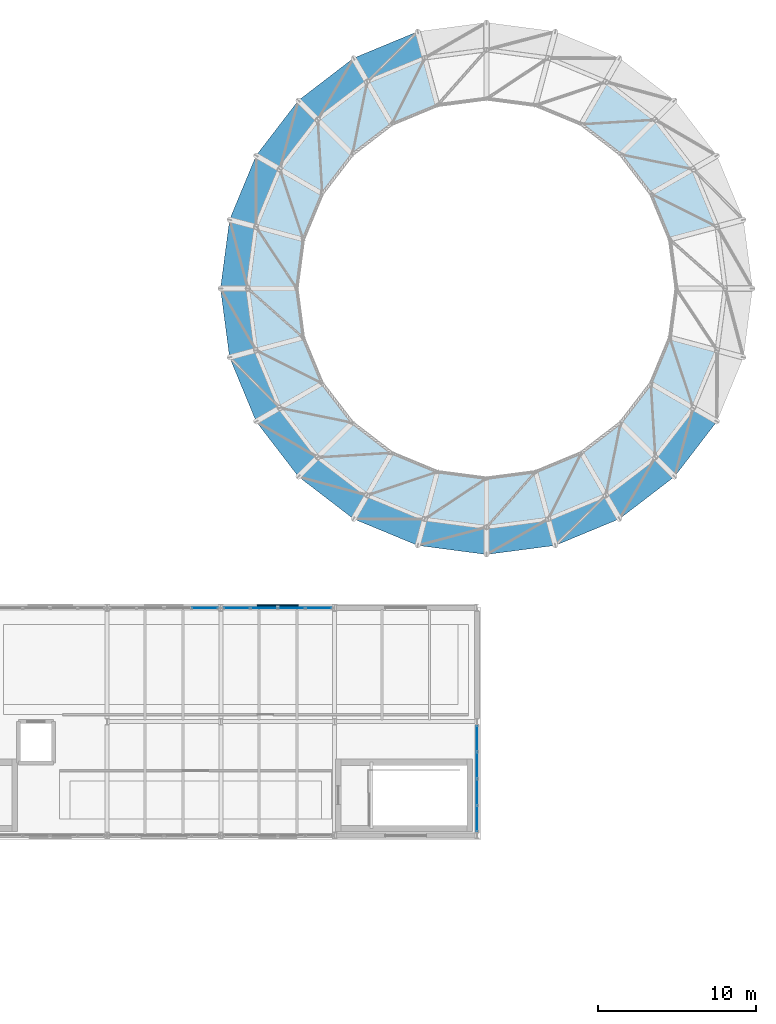
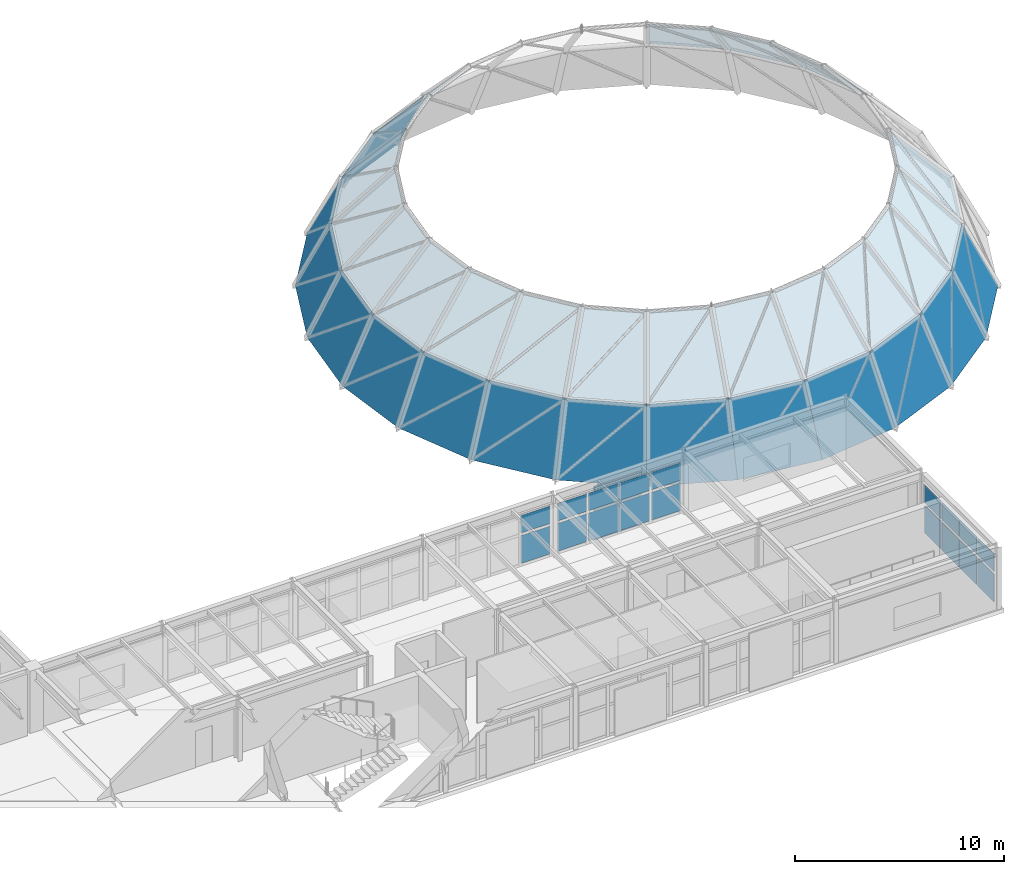
# One storey, part 29 of 48: 53 plates, 3 elements without a shape of their own.
"""IFC4 building model written with IfcOpenShell, lengths in metres."""

from ifc_helpers import new_model, si_unit, direction, frame, origin, origin_2d, place, context, subcontext, project, spatial, polyline, rectangle, outline, extrude, material, layer, layer_set, type_object, element, aggregate, save


model = new_model("IFC4")

# Units and contexts
model_context = context("Model", 3, precision=1e-05, world=origin(), true_north=direction((0.0, 1.0)))
body_context = subcontext(model_context, "Body", "Model", "MODEL_VIEW")
ifc_project = project(units=[si_unit("LENGTHUNIT", "METRE"), si_unit("AREAUNIT", "SQUARE_METRE"), si_unit("VOLUMEUNIT", "CUBIC_METRE"), si_unit("PLANEANGLEUNIT", "RADIAN"), si_unit("MASSUNIT", "GRAM", prefix="KILO")], contexts=[model_context])

# Site, building, storey
site_placement = place(None, origin())
site = spatial("IfcSite", under=ifc_project, at=site_placement, CompositionType="ELEMENT")
building_placement = place(site_placement, origin())
building = spatial("IfcBuilding", under=site, at=building_placement, Name="Kandorven Conservatory and Botanical Research Centre", CompositionType="ELEMENT")
storey_placement = place(building_placement, frame((0.0, 0.0, 13.199951171875)))
storey = spatial("IfcBuildingStorey", under=building, at=storey_placement, Name="L03", CompositionType="ELEMENT", Elevation=13.199951171875)

# Curtain wall, plates
ifc_material_1 = material(Name="Bronze anodised thermally broken aluminium", Category="aluminium")
ifc_layer_1 = layer(ifc_material_1, 0.179931640625)
ifc_layer_set_1 = layer_set([ifc_layer_1], Name="Bronze anodised thermally broken aluminium")
curtain_wall_type = type_object("IfcCurtainWallType", Name="CW_Unitised", PredefinedType="USERDEFINED", material=ifc_layer_set_1)
curtain_wall_1_placement = place(storey_placement, origin())
curtain_wall_1 = element("IfcCurtainWall", 1, at=curtain_wall_1_placement, inside=storey, type_object=curtain_wall_type, Name="Visitor wing unitised curtain wall CW-VIS-N-L03-4", ObjectType="UNITISED GLAZING", PredefinedType="USERDEFINED")
ifc_material_2 = material(Name="Double-glazed solar-control low-E glass", Category="glass")
ifc_layer_2 = layer(ifc_material_2, 0.028076171875)
ifc_layer_set_2 = layer_set([ifc_layer_2], Name="Double-glazed solar-control low-E glass")
plate_type_1 = type_object("IfcPlateType", Name="CW_Panel", PredefinedType="CURTAIN_PANEL", material=ifc_layer_set_2)
plate_1_placement = place(storey_placement, frame((69.7861328125, 27.60009765625, 0.150146484375), z_axis=(0.0, 0.0, 1.0), x_axis=(1.0, 0.0, 0.0)))
plate_1 = element("IfcPlate", 2, at=plate_1_placement, type_object=plate_type_1, Name="CW-01 panel 4.1", PredefinedType="CURTAIN_PANEL", context=body_context, shape_type="SweptSolid", body=[
    extrude(rectangle(XDim=1.617431640625, YDim=0.028076171875, at=origin_2d()), origin(), (0.0, 0.0, 1.0), 1.625),
])
plate_2_placement = place(storey_placement, frame((69.7861328125, 27.60009765625, 1.925048828125), z_axis=(0.0, 0.0, 1.0), x_axis=(1.0, 0.0, 0.0)))
plate_2 = element("IfcPlate", 3, at=plate_2_placement, type_object=plate_type_1, Name="CW-01 panel 4.2", PredefinedType="CURTAIN_PANEL", context=body_context, shape_type="SweptSolid", body=[
    extrude(rectangle(XDim=1.617431640625, YDim=0.028076171875, at=origin_2d()), origin(), (0.0, 0.0, 1.0), 1.02490234375),
])
aggregate(curtain_wall_1, [plate_1, plate_2])

curtain_wall_2_placement = place(storey_placement, origin())
curtain_wall_2 = element("IfcCurtainWall", 4, at=curtain_wall_2_placement, inside=storey, type_object=curtain_wall_type, Name="Visitor wing unitised curtain wall CW-VIS-N-L03-5", ObjectType="UNITISED GLAZING", PredefinedType="USERDEFINED")
plate_3_placement = place(storey_placement, frame((71.813720703125, 27.60009765625, 0.150146484375), z_axis=(0.0, 0.0, 1.0), x_axis=(1.0, 0.0, 0.0)))
plate_3 = element("IfcPlate", 5, at=plate_3_placement, type_object=plate_type_1, Name="CW-01 panel 1.1", PredefinedType="CURTAIN_PANEL", context=body_context, shape_type="SweptSolid", body=[
    extrude(rectangle(XDim=1.617431640625, YDim=0.028076171875, at=origin_2d()), origin(), (0.0, 0.0, 1.0), 1.625),
])
plate_4_placement = place(storey_placement, frame((71.813720703125, 27.60009765625, 1.925048828125), z_axis=(0.0, 0.0, 1.0), x_axis=(1.0, 0.0, 0.0)))
plate_4 = element("IfcPlate", 6, at=plate_4_placement, type_object=plate_type_1, Name="CW-01 panel 1.2", PredefinedType="CURTAIN_PANEL", context=body_context, shape_type="SweptSolid", body=[
    extrude(rectangle(XDim=1.617431640625, YDim=0.028076171875, at=origin_2d()), origin(), (0.0, 0.0, 1.0), 1.02490234375),
])
plate_5_placement = place(storey_placement, frame((73.53125, 27.60009765625, 0.150146484375), z_axis=(0.0, 0.0, 1.0), x_axis=(1.0, 0.0, 0.0)))
plate_5 = element("IfcPlate", 7, at=plate_5_placement, type_object=plate_type_1, Name="CW-01 panel 2.1", PredefinedType="CURTAIN_PANEL", context=body_context, shape_type="SweptSolid", body=[
    extrude(rectangle(XDim=1.657470703125, YDim=0.028076171875, at=origin_2d()), origin(), (0.0, 0.0, 1.0), 1.625),
])
plate_6_placement = place(storey_placement, frame((73.53125, 27.60009765625, 1.925048828125), z_axis=(0.0, 0.0, 1.0), x_axis=(1.0, 0.0, 0.0)))
plate_6 = element("IfcPlate", 8, at=plate_6_placement, type_object=plate_type_1, Name="CW-01 panel 2.2", PredefinedType="CURTAIN_PANEL", context=body_context, shape_type="SweptSolid", body=[
    extrude(rectangle(XDim=1.657470703125, YDim=0.028076171875, at=origin_2d()), origin(), (0.0, 0.0, 1.0), 1.02490234375),
])
plate_7_placement = place(storey_placement, frame((75.268798828125, 27.60009765625, 0.150146484375), z_axis=(0.0, 0.0, 1.0), x_axis=(1.0, 0.0, 0.0)))
plate_7 = element("IfcPlate", 9, at=plate_7_placement, type_object=plate_type_1, Name="CW-01 panel 3.1", PredefinedType="CURTAIN_PANEL", context=body_context, shape_type="SweptSolid", body=[
    extrude(rectangle(XDim=1.657470703125, YDim=0.028076171875, at=origin_2d()), origin(), (0.0, 0.0, 1.0), 1.625),
])
plate_8_placement = place(storey_placement, frame((75.268798828125, 27.60009765625, 1.925048828125), z_axis=(0.0, 0.0, 1.0), x_axis=(1.0, 0.0, 0.0)))
plate_8 = element("IfcPlate", 10, at=plate_8_placement, type_object=plate_type_1, Name="CW-01 panel 3.2", PredefinedType="CURTAIN_PANEL", context=body_context, shape_type="SweptSolid", body=[
    extrude(rectangle(XDim=1.657470703125, YDim=0.028076171875, at=origin_2d()), origin(), (0.0, 0.0, 1.0), 1.02490234375),
])
plate_9_placement = place(storey_placement, frame((76.986328125, 27.60009765625, 0.150146484375), z_axis=(0.0, 0.0, 1.0), x_axis=(1.0, 0.0, 0.0)))
plate_9 = element("IfcPlate", 11, at=plate_9_placement, type_object=plate_type_1, Name="CW-01 panel 4.1", PredefinedType="CURTAIN_PANEL", context=body_context, shape_type="SweptSolid", body=[
    extrude(rectangle(XDim=1.617431640625, YDim=0.028076171875, at=origin_2d()), origin(), (0.0, 0.0, 1.0), 1.625),
])
plate_10_placement = place(storey_placement, frame((76.986328125, 27.60009765625, 1.925048828125), z_axis=(0.0, 0.0, 1.0), x_axis=(1.0, 0.0, 0.0)))
plate_10 = element("IfcPlate", 12, at=plate_10_placement, type_object=plate_type_1, Name="CW-01 panel 4.2", PredefinedType="CURTAIN_PANEL", context=body_context, shape_type="SweptSolid", body=[
    extrude(rectangle(XDim=1.617431640625, YDim=0.028076171875, at=origin_2d()), origin(), (0.0, 0.0, 1.0), 1.02490234375),
])
aggregate(curtain_wall_2, [plate_3, plate_4, plate_5, plate_6, plate_7, plate_8, plate_9, plate_10])

curtain_wall_3_placement = place(storey_placement, origin())
curtain_wall_3 = element("IfcCurtainWall", 13, at=curtain_wall_3_placement, inside=storey, type_object=curtain_wall_type, Name="Visitor wing east curtain wall CW-VIS-E-L03-1", ObjectType="UNITISED GLAZING", PredefinedType="USERDEFINED")
plate_11_placement = place(storey_placement, frame((87.0, 14.27001953125, 0.150146484375), z_axis=(0.0, 0.0, 1.0), x_axis=(0.0, 1.0, 0.0)))
plate_11 = element("IfcPlate", 14, at=plate_11_placement, type_object=plate_type_1, Name="CW-01 panel 1.1", PredefinedType="CURTAIN_PANEL", context=body_context, shape_type="SweptSolid", body=[
    extrude(rectangle(XDim=1.580078125, YDim=0.028076171875, at=origin_2d()), origin(), (0.0, 0.0, 1.0), 1.625),
])
plate_12_placement = place(storey_placement, frame((87.0, 14.27001953125, 1.925048828125), z_axis=(0.0, 0.0, 1.0), x_axis=(0.0, 1.0, 0.0)))
plate_12 = element("IfcPlate", 15, at=plate_12_placement, type_object=plate_type_1, Name="CW-01 panel 1.2", PredefinedType="CURTAIN_PANEL", context=body_context, shape_type="SweptSolid", body=[
    extrude(rectangle(XDim=1.580078125, YDim=0.028076171875, at=origin_2d()), origin(), (0.0, 0.0, 1.0), 1.02490234375),
])
plate_13_placement = place(storey_placement, frame((87.0, 15.949951171875, 0.150146484375), z_axis=(0.0, 0.0, 1.0), x_axis=(0.0, 1.0, 0.0)))
plate_13 = element("IfcPlate", 16, at=plate_13_placement, type_object=plate_type_1, Name="CW-01 panel 2.1", PredefinedType="CURTAIN_PANEL", context=body_context, shape_type="SweptSolid", body=[
    extrude(rectangle(XDim=1.6201171875, YDim=0.028076171875, at=origin_2d()), origin(), (0.0, 0.0, 1.0), 1.625),
])
plate_14_placement = place(storey_placement, frame((87.0, 15.949951171875, 1.925048828125), z_axis=(0.0, 0.0, 1.0), x_axis=(0.0, 1.0, 0.0)))
plate_14 = element("IfcPlate", 17, at=plate_14_placement, type_object=plate_type_1, Name="CW-01 panel 2.2", PredefinedType="CURTAIN_PANEL", context=body_context, shape_type="SweptSolid", body=[
    extrude(rectangle(XDim=1.6201171875, YDim=0.028076171875, at=origin_2d()), origin(), (0.0, 0.0, 1.0), 1.02490234375),
])
plate_15_placement = place(storey_placement, frame((87.0, 17.64990234375, 0.150146484375), z_axis=(0.0, 0.0, 1.0), x_axis=(0.0, 1.0, 0.0)))
plate_15 = element("IfcPlate", 18, at=plate_15_placement, type_object=plate_type_1, Name="CW-01 panel 3.1", PredefinedType="CURTAIN_PANEL", context=body_context, shape_type="SweptSolid", body=[
    extrude(rectangle(XDim=1.6201171875, YDim=0.028076171875, at=origin_2d()), origin(), (0.0, 0.0, 1.0), 1.625),
])
plate_16_placement = place(storey_placement, frame((87.0, 17.64990234375, 1.925048828125), z_axis=(0.0, 0.0, 1.0), x_axis=(0.0, 1.0, 0.0)))
plate_16 = element("IfcPlate", 19, at=plate_16_placement, type_object=plate_type_1, Name="CW-01 panel 3.2", PredefinedType="CURTAIN_PANEL", context=body_context, shape_type="SweptSolid", body=[
    extrude(rectangle(XDim=1.6201171875, YDim=0.028076171875, at=origin_2d()), origin(), (0.0, 0.0, 1.0), 1.02490234375),
])
plate_17_placement = place(storey_placement, frame((87.0, 19.330078125, 0.150146484375), z_axis=(0.0, 0.0, 1.0), x_axis=(0.0, 1.0, 0.0)))
plate_17 = element("IfcPlate", 20, at=plate_17_placement, type_object=plate_type_1, Name="CW-01 panel 4.1", PredefinedType="CURTAIN_PANEL", context=body_context, shape_type="SweptSolid", body=[
    extrude(rectangle(XDim=1.580078125, YDim=0.028076171875, at=origin_2d()), origin(), (0.0, 0.0, 1.0), 1.625),
])
plate_18_placement = place(storey_placement, frame((87.0, 19.330078125, 1.925048828125), z_axis=(0.0, 0.0, 1.0), x_axis=(0.0, 1.0, 0.0)))
plate_18 = element("IfcPlate", 21, at=plate_18_placement, type_object=plate_type_1, Name="CW-01 panel 4.2", PredefinedType="CURTAIN_PANEL", context=body_context, shape_type="SweptSolid", body=[
    extrude(rectangle(XDim=1.580078125, YDim=0.028076171875, at=origin_2d()), origin(), (0.0, 0.0, 1.0), 1.02490234375),
])
aggregate(curtain_wall_3, [plate_11, plate_12, plate_13, plate_14, plate_15, plate_16, plate_17, plate_18])

# Plates
ifc_material_3 = material(Name="Tempered laminated solar-control glass", Category="glass")
ifc_layer_3 = layer(ifc_material_3, 0.035888671875)
ifc_layer_set_3 = layer_set([ifc_layer_3], Name="Tempered laminated solar-control glass")
plate_type_2 = type_object("IfcPlateType", Name="DomePlate_DP-01", PredefinedType="SHEET", material=ifc_layer_set_3)
plate_19_placement = place(storey_placement, frame((83.245361328125, 64.0517578125, -2.364013671875), z_axis=(-0.34567252957, 0.834493282117, 0.429105423412), x_axis=(-0.923873741786, -0.38269741211, 1.505837e-06)))
element("IfcPlate", 22, at=plate_19_placement, inside=storey, type_object=plate_type_2, Name="Conservatory dome laminated glass facet DP-01 T1-S08", PredefinedType="SHEET", context=body_context, shape_type="SweptSolid", body=[
    extrude(outline(polyline([(0.0, 0.0), (4.392230748194787, 0.0), (4.16706027457353, 3.9856892225857434), (0.22513842016618293, 3.9857031166530708), (0.0, 0.0)])), origin(), (0.0, 0.0, -1.0), 0.035888671875),
])
plate_20_placement = place(storey_placement, frame((79.1875, 62.370849609375, -2.364013671875), z_axis=(-0.549860706703, 0.71661024588, 0.429095512357), x_axis=(-0.793359592932, -0.608753280311, 3.662225e-06)))
element("IfcPlate", 23, at=plate_20_placement, inside=storey, type_object=plate_type_2, Name="Conservatory dome laminated glass facet DP-01 T1-S09", PredefinedType="SHEET", context=body_context, shape_type="SweptSolid", body=[
    extrude(outline(polyline([(0.0, 0.0), (4.392257665010771, 0.0), (4.167101626268568, 3.9856584984021817), (0.2251161825099283, 3.985692289230496), (0.0, 0.0)])), origin(), (0.0, 0.0, -1.0), 0.035888671875),
])
plate_21_placement = place(storey_placement, frame((75.702880859375, 59.697021484375, -2.364013671875), z_axis=(-0.716606173119, 0.549877885074, 0.429080300357), x_axis=(-0.608764823345, -0.793350735708, 3.249477e-06)))
element("IfcPlate", 24, at=plate_21_placement, inside=storey, type_object=plate_type_2, Name="Conservatory dome laminated glass facet DP-01 T1-S10", PredefinedType="SHEET", context=body_context, shape_type="SweptSolid", body=[
    extrude(outline(polyline([(0.0, 0.0), (4.392257665044788, -1.1102230246251565e-16), (4.166947792307435, 3.9856285169079473), (0.22515603880849436, 3.985658498435925), (0.0, 0.0)])), origin(), (0.0, 0.0, -1.0), 0.035888671875),
])
plate_22_placement = place(storey_placement, frame((73.029052734375, 56.21240234375, -2.364013671875), z_axis=(-0.834521162973, 0.345657617855, 0.429063211856), x_axis=(-0.38266827656, -0.923885810072, 7.90814e-06)))
element("IfcPlate", 25, at=plate_22_placement, inside=storey, type_object=plate_type_2, Name="Conservatory dome laminated glass facet DP-01 T1-S11", PredefinedType="SHEET", context=body_context, shape_type="SweptSolid", body=[
    extrude(outline(polyline([(0.0, 0.0), (4.392137320567075, 0.0), (4.166954594737342, 3.9855712084998105), (0.22503274178188226, 3.985644172931405), (0.0, 0.0)])), origin(), (0.0, 0.0, -1.0), 0.035888671875),
])
plate_23_placement = place(storey_placement, frame((71.348388671875, 52.154541015625, -2.364013671875), z_axis=(-0.895536027463, 0.117908891927, 0.42908357778), x_axis=(-0.130542993615, -0.991442649183, -1.4099213e-05)))
element("IfcPlate", 26, at=plate_23_placement, inside=storey, type_object=plate_type_2, Name="Conservatory dome laminated glass facet DP-01 T1-S12", PredefinedType="SHEET", context=body_context, shape_type="SweptSolid", body=[
    extrude(outline(polyline([(0.0, 0.0), (4.392093892292918, 0.0), (4.166843721423893, 3.985715418570596), (0.22493258478565728, 3.985585331674831), (0.0, 0.0)])), origin(), (0.0, 0.0, -1.0), 0.035888671875),
])
plate_24_placement = place(storey_placement, frame((70.77490234375, 47.800048828125, -2.364013671875), z_axis=(-0.895534942064, -0.117905265234, 0.429086839664), x_axis=(0.130538575753, -0.99144323089, 1.2768445e-05)))
element("IfcPlate", 27, at=plate_24_placement, inside=storey, type_object=plate_type_2, Name="Conservatory dome laminated glass facet DP-01 T1-S13", PredefinedType="SHEET", context=body_context, shape_type="SweptSolid", body=[
    extrude(outline(polyline([(0.0, 0.0), (4.392335943316997, -5.551115123125783e-17), (4.167148896227904, 3.9855983083489184), (0.22523775872872992, 3.98571612048517), (0.0, 0.0)])), origin(), (0.0, 0.0, -1.0), 0.035888671875),
])
plate_25_placement = place(storey_placement, frame((71.348388671875, 43.4453125, -2.364013671875), z_axis=(-0.834512769613, -0.345654141336, 0.429082337005), x_axis=(0.38266827625, -0.9238858102, -7.908413e-06)))
element("IfcPlate", 28, at=plate_25_placement, inside=storey, type_object=plate_type_2, Name="Conservatory dome laminated glass facet DP-01 T1-S14", PredefinedType="SHEET", context=body_context, shape_type="SweptSolid", body=[
    extrude(outline(polyline([(0.0, 0.0), (4.392137320567089, 1.1102230246251565e-16), (4.16687901917069, 3.985684259015434), (0.22495716621527342, 3.9856112913315083), (0.0, 0.0)])), origin(), (0.0, 0.0, -1.0), 0.035888671875),
])
plate_26_placement = place(storey_placement, frame((73.029052734375, 39.387451171875, -2.364013671875), z_axis=(-0.716594706917, -0.549869086642, 0.429110724143), x_axis=(0.608764823171, -0.793350735841, -3.249656e-06)))
element("IfcPlate", 29, at=plate_26_placement, inside=storey, type_object=plate_type_2, Name="Conservatory dome laminated glass facet DP-01 T1-S15", PredefinedType="SHEET", context=body_context, shape_type="SweptSolid", body=[
    extrude(outline(polyline([(0.0, 0.0), (4.392257665044792, 1.1102230246251565e-16), (4.166907936075157, 3.985722272918051), (0.22511618257622806, 3.985692289264244), (0.0, 0.0)])), origin(), (0.0, 0.0, -1.0), 0.035888671875),
])
plate_27_placement = place(storey_placement, frame((75.702880859375, 35.90283203125, -2.364013671875), z_axis=(-0.54987162739, -0.716589995409, 0.429115336328), x_axis=(0.793348050348, -0.608768322911, 5.345442e-06)))
element("IfcPlate", 30, at=plate_27_placement, inside=storey, type_object=plate_type_2, Name="Conservatory dome laminated glass facet DP-01 T1-S16", PredefinedType="SHEET", context=body_context, shape_type="SweptSolid", body=[
    extrude(outline(polyline([(0.0, 0.0), (4.392257664829959, -1.1102230246251565e-16), (4.1671414826723865, 3.9856922890511415), (0.22500741549032918, 3.985741612080351), (0.0, 0.0)])), origin(), (0.0, 0.0, -1.0), 0.035888671875),
])
plate_28_placement = place(storey_placement, frame((79.1875, 33.22900390625, -2.364013671875), z_axis=(-0.345627358803, -0.834511992185, 0.429105422648), x_axis=(0.923894259998, -0.382647875124, -2.581368e-06)))
element("IfcPlate", 31, at=plate_28_placement, inside=storey, type_object=plate_type_2, Name="Conservatory dome laminated glass facet DP-01 T1-S17", PredefinedType="SHEET", context=body_context, shape_type="SweptSolid", body=[
    extrude(outline(polyline([(0.0, 0.0), (4.392137321233625, 0.0), (4.167086732602405, 3.9857080769204773), (0.2252583026952868, 3.9856842596765327), (0.0, 0.0)])), origin(), (0.0, 0.0, -1.0), 0.035888671875),
])
plate_29_placement = place(storey_placement, frame((83.245361328125, 31.54833984375, -2.364013671875), z_axis=(-0.117905265234, -0.895534942064, 0.429086839664), x_axis=(0.991444555356, -0.130528516349, 8.590191e-06)))
element("IfcPlate", 32, at=plate_29_placement, inside=storey, type_object=plate_type_2, Name="Conservatory dome laminated glass facet DP-01 T1-S18", PredefinedType="SHEET", context=body_context, shape_type="SweptSolid", body=[
    extrude(outline(polyline([(0.0, 0.0), (4.392304074775476, -5.551115123125783e-17), (4.167192429987463, 3.9856175838318153), (0.2252494234909666, 3.9856968439728755), (0.0, 0.0)])), origin(), (0.0, 0.0, -1.0), 0.035888671875),
])
plate_30_placement = place(storey_placement, frame((87.60009765625, 30.97509765625, -2.364013671875), z_axis=(0.117908891927, -0.895536027463, 0.42908357778), x_axis=(0.991443973774, 0.130532933829, -7.260453e-06)))
element("IfcPlate", 33, at=plate_30_placement, inside=storey, type_object=plate_type_2, Name="Conservatory dome laminated glass facet DP-01 T1-S19", PredefinedType="SHEET", context=body_context, shape_type="SweptSolid", body=[
    extrude(outline(polyline([(0.0, 0.0), (4.392062022672864, 2.7755575615628914e-17), (4.167067058483267, 3.9856838721793775), (0.22512405147893236, 3.985616883347332), (0.0, 0.0)])), origin(), (0.0, 0.0, -1.0), 0.035888671875),
])
plate_31_placement = place(storey_placement, frame((91.95458984375, 31.54833984375, -2.364013671875), z_axis=(0.345638451643, -0.834512314307, 0.429095861103), x_axis=(0.923890760353, 0.382656324829, -1.763426e-06)))
element("IfcPlate", 34, at=plate_31_placement, inside=storey, type_object=plate_type_2, Name="Conservatory dome laminated glass facet DP-01 T1-S20", PredefinedType="SHEET", context=body_context, shape_type="SweptSolid", body=[
    extrude(outline(polyline([(0.0, 0.0), (4.392137321276008, 0.0), (4.166879018498129, 3.9856842597185698), (0.22527614832826762, 3.985667989817156), (0.0, 0.0)])), origin(), (0.0, 0.0, -1.0), 0.035888671875),
])
plate_32_placement = place(storey_placement, frame((96.012451171875, 33.22900390625, -2.364013671875), z_axis=(0.54987162739, -0.716589995409, 0.429115336328), x_axis=(0.793348050348, 0.608768322911, -5.345442e-06)))
element("IfcPlate", 35, at=plate_32_placement, inside=storey, type_object=plate_type_2, Name="Conservatory dome laminated glass facet DP-01 T1-S21", PredefinedType="SHEET", context=body_context, shape_type="SweptSolid", body=[
    extrude(outline(polyline([(0.0, 0.0), (4.392257664829959, 1.1102230246251565e-16), (4.167250249339629, 3.985741612080351), (0.22511618215757181, 3.985692289051142), (0.0, 0.0)])), origin(), (0.0, 0.0, -1.0), 0.035888671875),
])
plate_33_placement = place(storey_placement, frame((99.4970703125, 35.90283203125, -2.364013671875), z_axis=(0.716594706917, -0.549869086642, 0.429110724143), x_axis=(0.608764823171, 0.793350735841, 3.249656e-06)))
element("IfcPlate", 36, at=plate_33_placement, inside=storey, type_object=plate_type_2, Name="Conservatory dome laminated glass facet DP-01 T1-S22", PredefinedType="SHEET", context=body_context, shape_type="SweptSolid", body=[
    extrude(outline(polyline([(0.0, 0.0), (4.392257665044792, -1.1102230246251565e-16), (4.167141482468565, 3.985692289264244), (0.22534972896963507, 3.985722272918051), (0.0, 0.0)])), origin(), (0.0, 0.0, -1.0), 0.035888671875),
])
ifc_material_4 = material(Name="Tempered laminated solar-control glass", Category="glass")
ifc_layer_4 = layer(ifc_material_4, 0.033935546875)
ifc_layer_set_4 = layer_set([ifc_layer_4], Name="Tempered laminated solar-control glass")
plate_type_3 = type_object("IfcPlateType", Name="DomePlate_DP-02", PredefinedType="SHEET", material=ifc_layer_set_4)
plate_34_placement = place(storey_placement, frame((102.185546875, 51.708251953125, 1.234130859375), z_axis=(0.676037389354, 0.280040887791, 0.681579451979), x_axis=(-0.38269839984, 0.923873332621, -5.694326e-06)))
element("IfcPlate", 37, at=plate_34_placement, inside=storey, type_object=plate_type_3, Name="Conservatory dome laminated glass facet DP-02 T2-S02", PredefinedType="SHEET", context=body_context, shape_type="SweptSolid", body=[
    extrude(outline(polyline([(0.0, 0.0), (3.9419218543243955, 1.1102230246251565e-16), (3.5373284826753784, 4.509533811322479), (0.4045281409196769, 4.509478756867669), (0.0, 0.0)])), origin(), (0.0, 0.0, -1.0), 0.033935546875),
])
plate_35_placement = place(storey_placement, frame((100.677001953125, 55.35009765625, 1.234130859375), z_axis=(0.580535941213, 0.445458871765, 0.68157495151), x_axis=(-0.608766085847, 0.793349766905, 8.657222e-06)))
element("IfcPlate", 38, at=plate_35_placement, inside=storey, type_object=plate_type_3, Name="Conservatory dome laminated glass facet DP-02 T2-S03", PredefinedType="SHEET", context=body_context, shape_type="SweptSolid", body=[
    extrude(outline(polyline([(0.0, 0.0), (3.941791753435333, -2.220446049250313e-16), (3.537380984039681, 4.509438600933662), (0.40472167651045804, 4.509522297869623), (0.0, 0.0)])), origin(), (0.0, 0.0, -1.0), 0.033935546875),
])
plate_36_placement = place(storey_placement, frame((98.27734375, 58.477294921875, 1.234130859375), z_axis=(0.445471912664, 0.580552936522, 0.681551951742), x_axis=(-0.793360428869, 0.608752190799, 1.0146986e-05)))
element("IfcPlate", 39, at=plate_36_placement, inside=storey, type_object=plate_type_3, Name="Conservatory dome laminated glass facet DP-02 T2-S04", PredefinedType="SHEET", context=body_context, shape_type="SweptSolid", body=[
    extrude(outline(polyline([(0.0, 0.0), (3.941985443644832, 2.220446049250313e-16), (3.5373345791684265, 4.509299389288147), (0.4048689620337223, 4.509397486210094), (0.0, 0.0)])), origin(), (0.0, 0.0, -1.0), 0.033935546875),
])
plate_37_placement = place(storey_placement, frame((83.69189453125, 62.385498046875, 1.234130859375), z_axis=(-0.280035012613, 0.676058916283, 0.681560513399), x_axis=(-0.923877159646, -0.382689160901, 3.620129e-06)))
element("IfcPlate", 40, at=plate_37_placement, inside=storey, type_object=plate_type_3, Name="Conservatory dome laminated glass facet DP-02 T2-S08", PredefinedType="SHEET", context=body_context, shape_type="SweptSolid", body=[
    extrude(outline(polyline([(0.0, 0.0), (3.941921854406362, -2.220446049250313e-16), (3.5372350517542155, 4.509380079267637), (0.40475369665923905, 4.509415077345785), (0.0, 0.0)])), origin(), (0.0, 0.0, -1.0), 0.033935546875),
])
plate_38_placement = place(storey_placement, frame((80.050048828125, 60.876953125, 1.234130859375), z_axis=(-0.445454713458, 0.580555774513, 0.681560775674), x_axis=(-0.793367276964, -0.608743265952, 3.30443e-07)))
element("IfcPlate", 41, at=plate_38_placement, inside=storey, type_object=plate_type_3, Name="Conservatory dome laminated glass facet DP-02 T2-S09", PredefinedType="SHEET", context=body_context, shape_type="SweptSolid", body=[
    extrude(outline(polyline([(0.0, 0.0), (3.941985444081247, -2.220446049250313e-16), (3.5371164812195164, 4.509397486517253), (0.4044571721743128, 4.509400681226731), (0.0, 0.0)])), origin(), (0.0, 0.0, -1.0), 0.033935546875),
])
plate_39_placement = place(storey_placement, frame((76.922607421875, 58.477294921875, 1.234130859375), z_axis=(-0.580535941213, 0.445458871765, 0.68157495151), x_axis=(-0.608766085847, -0.793349766905, -8.657222e-06)))
element("IfcPlate", 42, at=plate_39_placement, inside=storey, type_object=plate_type_3, Name="Conservatory dome laminated glass facet DP-02 T2-S10", PredefinedType="SHEET", context=body_context, shape_type="SweptSolid", body=[
    extrude(outline(polyline([(0.0, 0.0), (3.941791753435333, 2.220446049250313e-16), (3.5370700769248744, 4.509522297869623), (0.40441076939565196, 4.509438600933662), (0.0, 0.0)])), origin(), (0.0, 0.0, -1.0), 0.033935546875),
])
plate_40_placement = place(storey_placement, frame((74.52294921875, 55.35009765625, 1.234130859375), z_axis=(-0.676037389354, 0.280040887791, 0.681579451979), x_axis=(-0.38269839984, -0.923873332621, 5.694326e-06)))
element("IfcPlate", 43, at=plate_40_placement, inside=storey, type_object=plate_type_3, Name="Conservatory dome laminated glass facet DP-02 T2-S11", PredefinedType="SHEET", context=body_context, shape_type="SweptSolid", body=[
    extrude(outline(polyline([(0.0, 0.0), (3.9419218543243955, -1.1102230246251565e-16), (3.5373937134047186, 4.509478756867669), (0.4045933716490173, 4.509533811322479), (0.0, 0.0)])), origin(), (0.0, 0.0, -1.0), 0.033935546875),
])
plate_41_placement = place(storey_placement, frame((73.014404296875, 51.708251953125, 1.234130859375), z_axis=(-0.725492636127, 0.095481487598, 0.681574442341), x_axis=(-0.130489637416, -0.9914496732, -6.134856e-06)))
element("IfcPlate", 44, at=plate_41_placement, inside=storey, type_object=plate_type_3, Name="Conservatory dome laminated glass facet DP-02 T2-S12", PredefinedType="SHEET", context=body_context, shape_type="SweptSolid", body=[
    extrude(outline(polyline([(0.0, 0.0), (3.9419111412669254, 0.0), (3.5373602783229, 4.509507185044287), (0.40487225444152497, 4.50944787450147), (0.0, 0.0)])), origin(), (0.0, 0.0, -1.0), 0.033935546875),
])
plate_42_placement = place(storey_placement, frame((72.5, 47.800048828125, 1.234130859375), z_axis=(-0.725494812683, -0.095478450635, 0.681572550969), x_axis=(0.130487246878, -0.991449987812, 8.380637e-06)))
element("IfcPlate", 45, at=plate_42_placement, inside=storey, type_object=plate_type_3, Name="Conservatory dome laminated glass facet DP-02 T2-S13", PredefinedType="SHEET", context=body_context, shape_type="SweptSolid", body=[
    extrude(outline(polyline([(0.0, 0.0), (3.941911141128615, 5.551115123125783e-17), (3.5372809398825633, 4.509426160065319), (0.4045508626815994, 4.509507184946928), (0.0, 0.0)])), origin(), (0.0, 0.0, -1.0), 0.033935546875),
])
plate_43_placement = place(storey_placement, frame((73.014404296875, 43.891845703125, 1.234130859375), z_axis=(-0.676038464374, -0.280051793728, 0.681573904662), x_axis=(0.382704933355, -0.923870626135, -1.2281233e-05)))
element("IfcPlate", 46, at=plate_43_placement, inside=storey, type_object=plate_type_3, Name="Conservatory dome laminated glass facet DP-02 T2-S14", PredefinedType="SHEET", context=body_context, shape_type="SweptSolid", body=[
    extrude(outline(polyline([(0.0, 0.0), (3.9419218538220324, 2.220446049250313e-16), (3.5373284831261795, 4.509533810968866), (0.40475369555057794, 4.509415076934502), (0.0, 0.0)])), origin(), (0.0, 0.0, -1.0), 0.033935546875),
])
plate_44_placement = place(storey_placement, frame((74.52294921875, 40.25, 1.234130859375), z_axis=(-0.580535941213, -0.445458871765, 0.68157495151), x_axis=(0.608766085847, -0.793349766905, 8.657222e-06)))
element("IfcPlate", 47, at=plate_44_placement, inside=storey, type_object=plate_type_3, Name="Conservatory dome laminated glass facet DP-02 T2-S15", PredefinedType="SHEET", context=body_context, shape_type="SweptSolid", body=[
    extrude(outline(polyline([(0.0, 0.0), (3.941791753435333, -2.220446049250313e-16), (3.537380984039681, 4.509438600933662), (0.40472167651045804, 4.509522297869623), (0.0, 0.0)])), origin(), (0.0, 0.0, -1.0), 0.033935546875),
])
plate_45_placement = place(storey_placement, frame((76.922607421875, 37.122802734375, 1.234130859375), z_axis=(-0.445464086953, -0.580535080724, 0.681572275906), x_axis=(0.793344457883, -0.608773004511, -1.1181127e-05)))
element("IfcPlate", 48, at=plate_45_placement, inside=storey, type_object=plate_type_3, Name="Conservatory dome laminated glass facet DP-02 T2-S16", PredefinedType="SHEET", context=body_context, shape_type="SweptSolid", body=[
    extrude(outline(polyline([(0.0, 0.0), (3.9421340673398557, 0.0), (3.5373772578649283, 4.509519144424269), (0.4047179513502523, 4.5094110418294235), (0.0, 0.0)])), origin(), (0.0, 0.0, -1.0), 0.033935546875),
])
plate_46_placement = place(storey_placement, frame((80.050048828125, 34.722900390625, 1.234130859375), z_axis=(-0.280008684149, -0.676056320648, 0.6815739051), x_axis=(0.923893864625, -0.382648829644, 9.016568e-06)))
element("IfcPlate", 49, at=plate_46_placement, inside=storey, type_object=plate_type_3, Name="Conservatory dome laminated glass facet DP-02 T2-S17", PredefinedType="SHEET", context=body_context, shape_type="SweptSolid", body=[
    extrude(outline(polyline([(0.0, 0.0), (3.9418284297226984, -1.1102230246251565e-16), (3.537250600500448, 4.5094308590523635), (0.40476924678688214, 4.509518028244688), (0.0, 0.0)])), origin(), (0.0, 0.0, -1.0), 0.033935546875),
])
plate_47_placement = place(storey_placement, frame((83.69189453125, 33.214599609375, 1.234130859375), z_axis=(-0.095528094485, -0.725488277702, 0.681572550857), x_axis=(0.991441482501, -0.130551854649, -4.877784e-06)))
element("IfcPlate", 50, at=plate_47_placement, inside=storey, type_object=plate_type_3, Name="Conservatory dome laminated glass facet DP-02 T2-S18", PredefinedType="SHEET", context=body_context, shape_type="SweptSolid", body=[
    extrude(outline(polyline([(0.0, 0.0), (3.9419430081731384, 0.0), (3.537203413820147, 4.509490249895306), (0.4044414760965996, 4.509443090538802), (0.0, 0.0)])), origin(), (0.0, 0.0, -1.0), 0.033935546875),
])
plate_48_placement = place(storey_placement, frame((87.60009765625, 32.699951171875, 1.234130859375), z_axis=(0.095531132861, -0.725486099914, 0.681574443099), x_axis=(0.991441167568, 0.13055424637, 2.630854e-06)))
element("IfcPlate", 51, at=plate_48_placement, inside=storey, type_object=plate_type_3, Name="Conservatory dome laminated glass facet DP-02 T2-S19", PredefinedType="SHEET", context=body_context, shape_type="SweptSolid", body=[
    extrude(outline(polyline([(0.0, 0.0), (3.941943008244721, 5.551115123125783e-17), (3.5372594810360254, 4.5094648151522065), (0.4047395944888067, 4.50949024994569), (0.0, 0.0)])), origin(), (0.0, 0.0, -1.0), 0.033935546875),
])
plate_49_placement = place(storey_placement, frame((91.50830078125, 33.214599609375, 1.234130859375), z_axis=(0.280008684149, -0.676056320648, 0.6815739051), x_axis=(0.923889651678, 0.382659001613, 2.803846e-06)))
element("IfcPlate", 52, at=plate_49_placement, inside=storey, type_object=plate_type_3, Name="Conservatory dome laminated glass facet DP-02 T2-S20", PredefinedType="SHEET", context=body_context, shape_type="SweptSolid", body=[
    extrude(outline(polyline([(0.0, 0.0), (3.9416028702114168, 1.1102230246251565e-16), (3.5371320276017295, 4.509460891278305), (0.4044251138917678, 4.509487997934135), (0.0, 0.0)])), origin(), (0.0, 0.0, -1.0), 0.033935546875),
])
plate_50_placement = place(storey_placement, frame((95.14990234375, 34.722900390625, 1.234130859375), z_axis=(0.445481286422, -0.580532242705, 0.681563451651), x_axis=(0.793337609803, 0.608781928832, 7.03502e-07)))
element("IfcPlate", 53, at=plate_50_placement, inside=storey, type_object=plate_type_3, Name="Conservatory dome laminated glass facet DP-02 T2-S21", PredefinedType="SHEET", context=body_context, shape_type="SweptSolid", body=[
    extrude(outline(polyline([(0.0, 0.0), (3.9421340678682104, -4.440892098500626e-16), (3.5374161155154917, 4.509411042201341), (0.4049504963050215, 4.509417843611146), (0.0, 0.0)])), origin(), (0.0, 0.0, -1.0), 0.033935546875),
])
plate_51_placement = place(storey_placement, frame((98.27734375, 37.122802734375, 1.234130859375), z_axis=(0.580535941213, -0.445458871765, 0.68157495151), x_axis=(0.608766085847, 0.793349766905, -8.657222e-06)))
element("IfcPlate", 54, at=plate_51_placement, inside=storey, type_object=plate_type_3, Name="Conservatory dome laminated glass facet DP-02 T2-S22", PredefinedType="SHEET", context=body_context, shape_type="SweptSolid", body=[
    extrude(outline(polyline([(0.0, 0.0), (3.941791753435333, 2.220446049250313e-16), (3.5370700769248744, 4.509522297869623), (0.40441076939565196, 4.509438600933662), (0.0, 0.0)])), origin(), (0.0, 0.0, -1.0), 0.033935546875),
])
plate_52_placement = place(storey_placement, frame((100.677001953125, 40.25, 1.234130859375), z_axis=(0.676038464374, -0.280051793728, 0.681573904662), x_axis=(0.382704933355, 0.923870626135, 1.2281233e-05)))
element("IfcPlate", 55, at=plate_52_placement, inside=storey, type_object=plate_type_3, Name="Conservatory dome laminated glass facet DP-02 T2-S23", PredefinedType="SHEET", context=body_context, shape_type="SweptSolid", body=[
    extrude(outline(polyline([(0.0, 0.0), (3.9419218538220324, -2.220446049250313e-16), (3.537168158271455, 4.509415076934502), (0.40459337069585244, 4.509533810968866), (0.0, 0.0)])), origin(), (0.0, 0.0, -1.0), 0.033935546875),
])
ifc_material_5 = material(Name="Precast concrete C40/50 (M50)", Category="concrete")
ifc_layer_5 = layer(ifc_material_5, 0.094970703125)
ifc_layer_set_5 = layer_set([ifc_layer_5], Name="Precast concrete C40/50 (M50)")
plate_type_4 = type_object("IfcPlateType", Name="Jali_JP-05", PredefinedType="USERDEFINED", material=ifc_layer_set_5)
plate_53_placement = place(storey_placement, frame((74.39990234375, 27.739990234375, 0.0), z_axis=(0.0, 0.0, 1.0), x_axis=(1.0, 0.0, 0.0)))
element("IfcPlate", 56, at=plate_53_placement, inside=storey, type_object=plate_type_4, Name="Perforated precast concrete jali screen JP-05", ObjectType="JALI SCREEN", PredefinedType="USERDEFINED", context=body_context, shape_type="SweptSolid", body=[
    extrude(rectangle(XDim=2.60009765625, YDim=0.094970703125, at=origin_2d()), origin(), (0.0, 0.0, 1.0), 3.10009765625),
])

save(model, "model.ifc")
